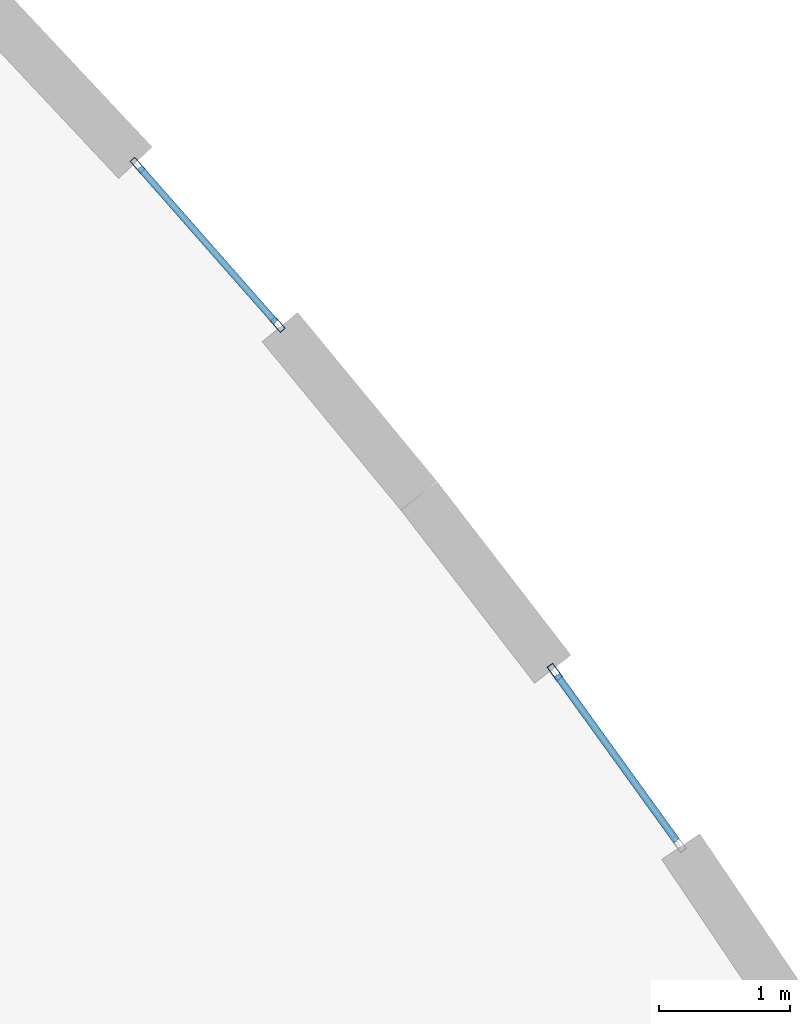
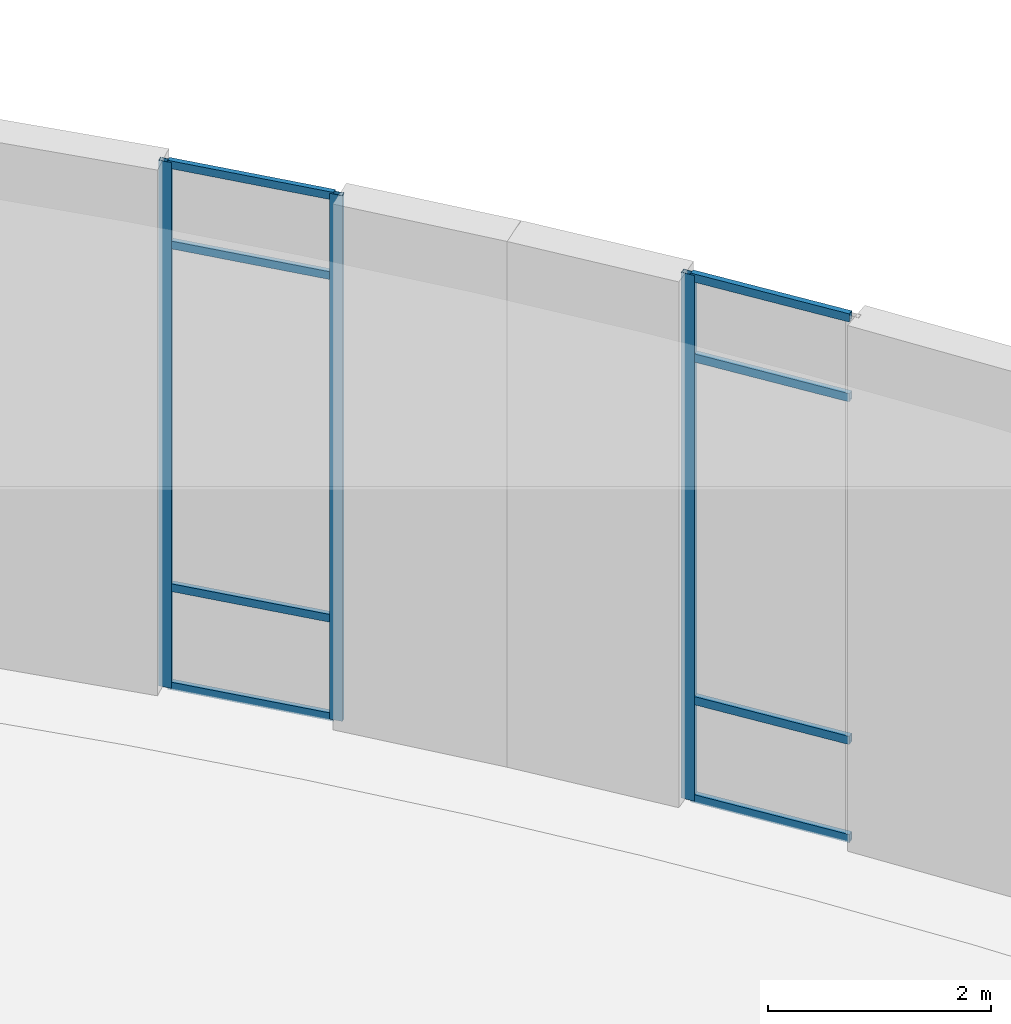
# One storey, part 31 of 85: 11 members, 2 elements without a shape of their own.
"""IFC4 building model written with IfcOpenShell, lengths in metres."""

from ifc_helpers import new_model, si_unit, direction, frame, origin, origin_2d, place, context, subcontext, project, spatial, hollow_rectangle, extrude, material, layer, layer_set, material_profile, profile_set, type_object, element, aggregate, save


model = new_model("IFC4")

# Units and contexts
model_context = context("Model", 3, precision=1e-05, world=origin(), true_north=direction((0.0, 1.0)))
body_context = subcontext(model_context, "Body", "Model", "MODEL_VIEW")
ifc_project = project(units=[si_unit("LENGTHUNIT", "METRE"), si_unit("AREAUNIT", "SQUARE_METRE"), si_unit("VOLUMEUNIT", "CUBIC_METRE"), si_unit("PLANEANGLEUNIT", "RADIAN"), si_unit("MASSUNIT", "GRAM", prefix="KILO"), si_unit("THERMODYNAMICTEMPERATUREUNIT", "KELVIN")], contexts=[model_context])

# Site, building, storey
site_placement = place(None, origin())
site = spatial("IfcSite", under=ifc_project, at=site_placement, CompositionType="ELEMENT")
building_placement = place(site_placement, origin())
building = spatial("IfcBuilding", under=site, at=building_placement, Name="Lustrewick Department Store", CompositionType="ELEMENT")
storey_placement = place(building_placement, origin())
storey = spatial("IfcBuildingStorey", under=building, at=storey_placement, Name="L01", CompositionType="ELEMENT", Elevation=0.0)

# Curtain wall, members
ifc_material = material(Name="Thermally broken aluminium 6063-T5", Category="aluminium")
ifc_layer_1 = layer(ifc_material, 0.1298828125, Name="Thermally broken aluminium 6063-T5")
ifc_layer_set_1 = layer_set([ifc_layer_1], Name="Thermally broken aluminium 6063-T5")
curtain_wall_type_1 = type_object("IfcCurtainWallType", Name="CW07", PredefinedType="NOTDEFINED", material=ifc_layer_set_1)
curtain_wall_1_placement = place(storey_placement, origin())
curtain_wall_1 = element("IfcCurtainWall", 1, at=curtain_wall_1_placement, inside=storey, type_object=curtain_wall_type_1, Name="L01 V4 Curtain Wall CW07", PredefinedType="NOTDEFINED")
ifc_material_profile_1 = material_profile(ifc_material, hollow_rectangle(XDim=0.054931640625, YDim=0.1298828125, WallThickness=0.00341796875, at=origin_2d()), Name="ALU-M 55x130x3.5")
ifc_profile_set_1 = profile_set([ifc_material_profile_1], Name="Thermally broken aluminium 6063-T5")
member_type_1 = type_object("IfcMemberType", Name="CW07-M1", PredefinedType="MULLION", material=ifc_profile_set_1)
member_1_placement = place(storey_placement, frame((157.689697265625, 90.679443359375, 0.0), z_axis=(0.0, 0.0, 1.0), x_axis=(-0.810865859237, -0.585232055106, 0.0)))
member_1 = element("IfcMember", 2, at=member_1_placement, type_object=member_type_1, Name="CW07 mullion 2", PredefinedType="MULLION", context=body_context, shape_type="SweptSolid", body=[
    extrude(hollow_rectangle(XDim=0.054931640625, YDim=0.1298828125, WallThickness=0.00341796875, at=origin_2d()), origin(), (0.0, 0.0, 1.0), 5.7451171875),
])
ifc_material_profile_2 = material_profile(ifc_material, hollow_rectangle(XDim=0.054931640625, YDim=0.090087890625, WallThickness=0.0029296875, at=origin_2d()), Name="ALU-T 55x90x3")
ifc_profile_set_2 = profile_set([ifc_material_profile_2], Name="Thermally broken aluminium 6063-T5")
member_type_2 = type_object("IfcMemberType", Name="CW07-T1", PredefinedType="USERDEFINED", material=ifc_profile_set_2)
member_2_placement = place(storey_placement, frame((158.61669921875, 89.394775390625, 0.027587890625), z_axis=(-0.585295849351, 0.81081981274, 0.0), x_axis=(-0.81081981274, -0.585295849351, 0.0)))
member_2 = element("IfcMember", 3, at=member_2_placement, type_object=member_type_2, Name="CW07 transom 1.1", ObjectType="TRANSOM", PredefinedType="USERDEFINED", context=body_context, shape_type="SweptSolid", body=[
    extrude(hollow_rectangle(XDim=0.054931640625, YDim=0.090087890625, WallThickness=0.0029296875, at=origin_2d()), origin(), (0.0, 0.0, 1.0), 1.556640625),
])
member_3_placement = place(storey_placement, frame((158.61669921875, 89.394775390625, 1.10009765625), z_axis=(-0.585295849351, 0.81081981274, 0.0), x_axis=(-0.81081981274, -0.585295849351, 0.0)))
member_3 = element("IfcMember", 4, at=member_3_placement, type_object=member_type_2, Name="CW07 transom 1.2", ObjectType="TRANSOM", PredefinedType="USERDEFINED", context=body_context, shape_type="SweptSolid", body=[
    extrude(hollow_rectangle(XDim=0.054931640625, YDim=0.090087890625, WallThickness=0.0029296875, at=origin_2d()), origin(), (0.0, 0.0, 1.0), 1.556640625),
])
member_4_placement = place(storey_placement, frame((158.61669921875, 89.394775390625, 4.844970703125), z_axis=(-0.585295849351, 0.81081981274, 0.0), x_axis=(-0.81081981274, -0.585295849351, 0.0)))
member_4 = element("IfcMember", 5, at=member_4_placement, type_object=member_type_2, Name="CW07 transom 1.3", ObjectType="TRANSOM", PredefinedType="USERDEFINED", context=body_context, shape_type="SweptSolid", body=[
    extrude(hollow_rectangle(XDim=0.054931640625, YDim=0.090087890625, WallThickness=0.0029296875, at=origin_2d()), origin(), (0.0, 0.0, 1.0), 1.556640625),
])
member_5_placement = place(storey_placement, frame((158.61669921875, 89.394775390625, 5.717529296875), z_axis=(-0.585295849351, 0.81081981274, 0.0), x_axis=(-0.81081981274, -0.585295849351, 0.0)))
member_5 = element("IfcMember", 6, at=member_5_placement, type_object=member_type_2, Name="CW07 transom 1.4", ObjectType="TRANSOM", PredefinedType="USERDEFINED", context=body_context, shape_type="SweptSolid", body=[
    extrude(hollow_rectangle(XDim=0.054931640625, YDim=0.090087890625, WallThickness=0.0029296875, at=origin_2d()), origin(), (0.0, 0.0, 1.0), 1.556640625),
])
aggregate(curtain_wall_1, [member_1, member_2, member_3, member_4, member_5])

ifc_layer_2 = layer(ifc_material, 0.1201171875, Name="Thermally broken aluminium 6063-T5")
ifc_layer_set_2 = layer_set([ifc_layer_2], Name="Thermally broken aluminium 6063-T5")
curtain_wall_type_2 = type_object("IfcCurtainWallType", Name="CW08", PredefinedType="NOTDEFINED", material=ifc_layer_set_2)
curtain_wall_2_placement = place(storey_placement, origin())
curtain_wall_2 = element("IfcCurtainWall", 7, at=curtain_wall_2_placement, inside=storey, type_object=curtain_wall_type_2, Name="L01 V4 Curtain Wall CW08", PredefinedType="NOTDEFINED")
ifc_material_profile_3 = material_profile(ifc_material, hollow_rectangle(XDim=0.050048828125, YDim=0.1201171875, WallThickness=0.0029296875, at=origin_2d()), Name="ALU-M 50x120x3")
ifc_profile_set_3 = profile_set([ifc_material_profile_3], Name="Thermally broken aluminium 6063-T5")
member_type_3 = type_object("IfcMemberType", Name="CW08-M1", PredefinedType="MULLION", material=ifc_profile_set_3)
member_6_placement = place(storey_placement, frame((155.57861328125, 93.32666015625, 0.0), z_axis=(0.0, 0.0, 1.0), x_axis=(-0.750950308741, -0.660358716004, 0.0)))
member_6 = element("IfcMember", 8, at=member_6_placement, type_object=member_type_3, Name="CW08 mullion 1", PredefinedType="MULLION", context=body_context, shape_type="SweptSolid", body=[
    extrude(hollow_rectangle(XDim=0.050048828125, YDim=0.1201171875, WallThickness=0.0029296875, at=origin_2d()), origin(), (0.0, 0.0, 1.0), 5.7451171875),
])
member_7_placement = place(storey_placement, frame((154.510986328125, 94.540771484375, 0.0), z_axis=(0.0, 0.0, 1.0), x_axis=(-0.750950308741, -0.660358716004, 0.0)))
member_7 = element("IfcMember", 9, at=member_7_placement, type_object=member_type_3, Name="CW08 mullion 2", PredefinedType="MULLION", context=body_context, shape_type="SweptSolid", body=[
    extrude(hollow_rectangle(XDim=0.050048828125, YDim=0.1201171875, WallThickness=0.0029296875, at=origin_2d()), origin(), (0.0, 0.0, 1.0), 5.7451171875),
])
ifc_material_profile_4 = material_profile(ifc_material, hollow_rectangle(XDim=0.050048828125, YDim=0.0849609375, WallThickness=0.0029296875, at=origin_2d()), Name="ALU-T 50x85x3")
ifc_profile_set_4 = profile_set([ifc_material_profile_4], Name="Thermally broken aluminium 6063-T5")
member_type_4 = type_object("IfcMemberType", Name="CW08-T1", PredefinedType="USERDEFINED", material=ifc_profile_set_4)
member_8_placement = place(storey_placement, frame((155.562255859375, 93.345458984375, 0.02490234375), z_axis=(-0.660388994398, 0.750923681926, 0.0), x_axis=(-0.750923681926, -0.660388994398, 0.0)))
member_8 = element("IfcMember", 10, at=member_8_placement, type_object=member_type_4, Name="CW08 transom 1.1", ObjectType="TRANSOM", PredefinedType="USERDEFINED", context=body_context, shape_type="SweptSolid", body=[
    extrude(hollow_rectangle(XDim=0.050048828125, YDim=0.0849609375, WallThickness=0.0029296875, at=origin_2d()), origin(), (0.0, 0.0, 1.0), 1.566650390625),
])
member_9_placement = place(storey_placement, frame((155.562255859375, 93.345458984375, 1.10009765625), z_axis=(-0.660388994398, 0.750923681926, 0.0), x_axis=(-0.750923681926, -0.660388994398, 0.0)))
member_9 = element("IfcMember", 11, at=member_9_placement, type_object=member_type_4, Name="CW08 transom 1.2", ObjectType="TRANSOM", PredefinedType="USERDEFINED", context=body_context, shape_type="SweptSolid", body=[
    extrude(hollow_rectangle(XDim=0.050048828125, YDim=0.0849609375, WallThickness=0.0029296875, at=origin_2d()), origin(), (0.0, 0.0, 1.0), 1.566650390625),
])
member_10_placement = place(storey_placement, frame((155.562255859375, 93.345458984375, 4.844970703125), z_axis=(-0.660388994398, 0.750923681926, 0.0), x_axis=(-0.750923681926, -0.660388994398, 0.0)))
member_10 = element("IfcMember", 12, at=member_10_placement, type_object=member_type_4, Name="CW08 transom 1.3", ObjectType="TRANSOM", PredefinedType="USERDEFINED", context=body_context, shape_type="SweptSolid", body=[
    extrude(hollow_rectangle(XDim=0.050048828125, YDim=0.0849609375, WallThickness=0.0029296875, at=origin_2d()), origin(), (0.0, 0.0, 1.0), 1.566650390625),
])
member_11_placement = place(storey_placement, frame((155.562255859375, 93.345458984375, 5.719970703125), z_axis=(-0.660388994398, 0.750923681926, 0.0), x_axis=(-0.750923681926, -0.660388994398, 0.0)))
member_11 = element("IfcMember", 13, at=member_11_placement, type_object=member_type_4, Name="CW08 transom 1.4", ObjectType="TRANSOM", PredefinedType="USERDEFINED", context=body_context, shape_type="SweptSolid", body=[
    extrude(hollow_rectangle(XDim=0.050048828125, YDim=0.0849609375, WallThickness=0.0029296875, at=origin_2d()), origin(), (0.0, 0.0, 1.0), 1.566650390625),
])
aggregate(curtain_wall_2, [member_6, member_7, member_8, member_9, member_10, member_11])

save(model, "model.ifc")
